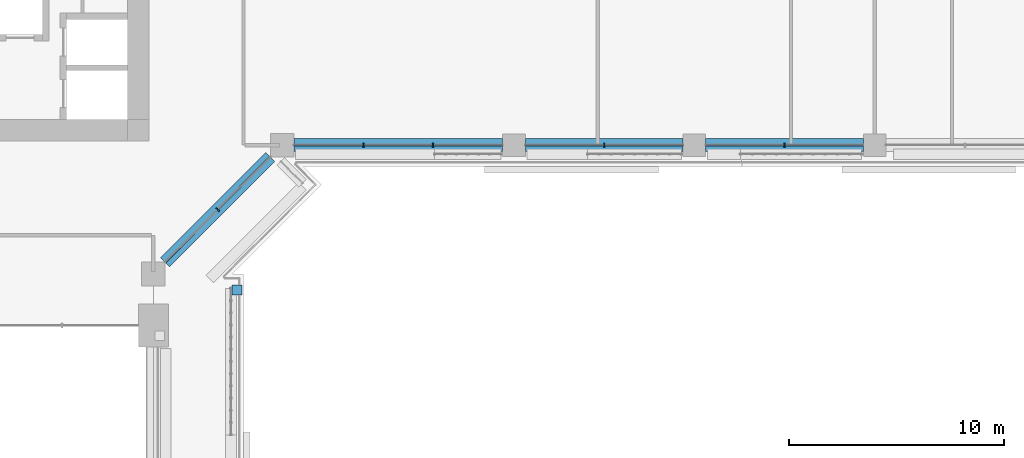
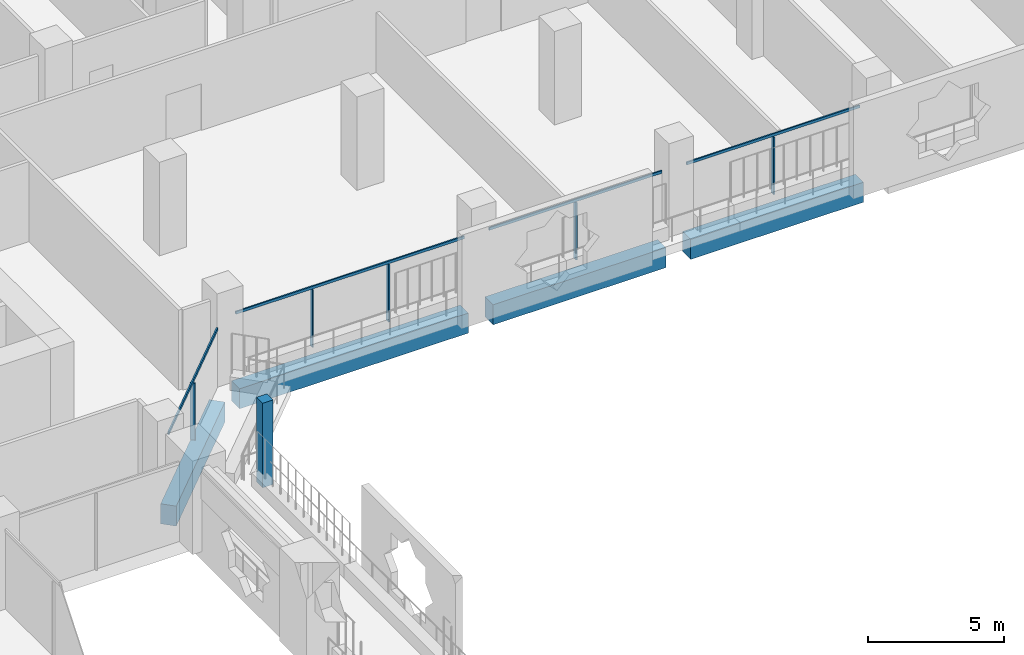
# One storey, part 6 of 27: 10 members, 4 beams, 3 elements without a shape of their own.
"""IFC4 building model written with IfcOpenShell, lengths in metres."""

from ifc_helpers import new_model, si_unit, direction, frame, origin, origin_2d, place, context, subcontext, project, spatial, rectangle, extrude, material, layer, layer_set, material_profile, profile_set, type_object, element, aggregate, save


model = new_model("IFC4")

# Units and contexts
model_context = context("Model", 3, precision=1e-05, world=origin(), true_north=direction((0.0, 1.0)))
body_context = subcontext(model_context, "Body", "Model", "MODEL_VIEW")
ifc_project = project(units=[si_unit("LENGTHUNIT", "METRE"), si_unit("AREAUNIT", "SQUARE_METRE"), si_unit("VOLUMEUNIT", "CUBIC_METRE"), si_unit("PLANEANGLEUNIT", "RADIAN"), si_unit("MASSUNIT", "GRAM", prefix="KILO")], contexts=[model_context])

# Site, building, storey
site_placement = place(None, origin())
site = spatial("IfcSite", under=ifc_project, at=site_placement, CompositionType="ELEMENT")
building_placement = place(site_placement, origin())
building = spatial("IfcBuilding", under=site, at=building_placement, Name="Kawkab Arch Medical Tower", CompositionType="ELEMENT")
storey_placement = place(building_placement, frame((0.0, 0.0, 103.0)))
storey = spatial("IfcBuildingStorey", under=building, at=storey_placement, Name="L23", CompositionType="ELEMENT", Elevation=103.0)

# Curtain wall, members
ifc_material_1 = material(Name="Bronze anodised aluminium curtain wall frame", Category="aluminium")
ifc_layer_1 = layer(ifc_material_1, 0.159912109375)
ifc_layer_set_1 = layer_set([ifc_layer_1], Name="Bronze anodised aluminium curtain wall frame")
curtain_wall_type_1 = type_object("IfcCurtainWallType", Name="CW1 ward curtain wall", PredefinedType="NOTDEFINED", material=ifc_layer_set_1)
placement = place(storey_placement, origin())
curtain_wall_1 = element("IfcCurtainWall", 1, at=placement, inside=storey, type_object=curtain_wall_type_1, Name="CW1 Ward curtain wall R07", PredefinedType="NOTDEFINED")
ifc_material_2 = material(Name="Bronze anodised aluminium curtain wall frame", Category="aluminium")
ifc_material_profile_1 = material_profile(ifc_material_2, rectangle(XDim=0.179931640625, YDim=0.06005859375, at=origin_2d()), Name="AL 60x180")
ifc_profile_set_1 = profile_set([ifc_material_profile_1], Name="Bronze anodised aluminium curtain wall frame")
member_type_1 = type_object("IfcMemberType", Name="CW1 mullion 60 x 180", PredefinedType="MULLION", material=ifc_profile_set_1)
member_1_placement = place(storey_placement, frame((34.99169921875, -25.199951171875, 0.0), z_axis=(0.0, 0.0, 1.0), x_axis=(0.0, 1.0, 0.0)))
member_1 = element("IfcMember", 2, at=member_1_placement, type_object=member_type_1, Name="CW1 mullion 1.1", PredefinedType="MULLION", context=body_context, shape_type="SweptSolid", body=[
    extrude(rectangle(XDim=0.179931640625, YDim=0.06005859375, at=origin_2d()), origin(), (0.0, 0.0, 1.0), 2.580078125),
])
member_2_placement = place(storey_placement, frame((38.2333984375, -25.199951171875, 0.0), z_axis=(0.0, 0.0, 1.0), x_axis=(0.0, 1.0, 0.0)))
member_2 = element("IfcMember", 3, at=member_2_placement, type_object=member_type_1, Name="CW1 mullion 1.2", PredefinedType="MULLION", context=body_context, shape_type="SweptSolid", body=[
    extrude(rectangle(XDim=0.179931640625, YDim=0.06005859375, at=origin_2d()), origin(), (0.0, 0.0, 1.0), 2.580078125),
])
member_3_placement = place(storey_placement, frame((46.199951171875, -25.199951171875, 0.0), z_axis=(0.0, 0.0, 1.0), x_axis=(0.0, 1.0, 0.0)))
member_3 = element("IfcMember", 4, at=member_3_placement, type_object=member_type_1, Name="CW1 mullion 2.1", PredefinedType="MULLION", context=body_context, shape_type="SweptSolid", body=[
    extrude(rectangle(XDim=0.179931640625, YDim=0.06005859375, at=origin_2d()), origin(), (0.0, 0.0, 1.0), 2.580078125),
])
member_4_placement = place(storey_placement, frame((54.60009765625, -25.199951171875, 0.0), z_axis=(0.0, 0.0, 1.0), x_axis=(0.0, 1.0, 0.0)))
member_4 = element("IfcMember", 5, at=member_4_placement, type_object=member_type_1, Name="CW1 mullion 3.1", PredefinedType="MULLION", context=body_context, shape_type="SweptSolid", body=[
    extrude(rectangle(XDim=0.179931640625, YDim=0.06005859375, at=origin_2d()), origin(), (0.0, 0.0, 1.0), 2.580078125),
])
ifc_material_3 = material(Name="Bronze anodised aluminium curtain wall frame", Category="aluminium")
ifc_material_profile_2 = material_profile(ifc_material_3, rectangle(XDim=0.06005859375, YDim=0.1201171875, at=origin_2d()), Name="AL 60x120")
ifc_profile_set_2 = profile_set([ifc_material_profile_2], Name="Bronze anodised aluminium curtain wall frame")
member_type_2 = type_object("IfcMemberType", Name="CW1 transom 120 x 60", PredefinedType="USERDEFINED", material=ifc_profile_set_2)
member_5_placement = place(storey_placement, frame((31.75, -25.199951171875, 2.639892578125), z_axis=(1.0, 0.0, 0.0), x_axis=(0.0, 1.0, 0.0)))
member_5 = element("IfcMember", 6, at=member_5_placement, type_object=member_type_2, Name="CW1 transom 1", ObjectType="TRANSOM", PredefinedType="USERDEFINED", context=body_context, shape_type="SweptSolid", body=[
    extrude(rectangle(XDim=0.06005859375, YDim=0.1201171875, at=origin_2d()), origin(), (0.0, 0.0, 1.0), 9.72509765625),
])
member_6_placement = place(storey_placement, frame((42.52490234375, -25.199951171875, 2.639892578125), z_axis=(1.0, 0.0, 0.0), x_axis=(0.0, 1.0, 0.0)))
member_6 = element("IfcMember", 7, at=member_6_placement, type_object=member_type_2, Name="CW1 transom 2", ObjectType="TRANSOM", PredefinedType="USERDEFINED", context=body_context, shape_type="SweptSolid", body=[
    extrude(rectangle(XDim=0.06005859375, YDim=0.1201171875, at=origin_2d()), origin(), (0.0, 0.0, 1.0), 7.35009765625),
])
member_7_placement = place(storey_placement, frame((50.925048828125, -25.199951171875, 2.639892578125), z_axis=(1.0, 0.0, 0.0), x_axis=(0.0, 1.0, 0.0)))
member_7 = element("IfcMember", 8, at=member_7_placement, type_object=member_type_2, Name="CW1 transom 3", ObjectType="TRANSOM", PredefinedType="USERDEFINED", context=body_context, shape_type="SweptSolid", body=[
    extrude(rectangle(XDim=0.06005859375, YDim=0.1201171875, at=origin_2d()), origin(), (0.0, 0.0, 1.0), 7.349853515625),
])
aggregate(curtain_wall_1, [member_5, member_1, member_2, member_6, member_3, member_7, member_4])

ifc_material_4 = material(Name="Bronze anodised aluminium curtain wall frame", Category="aluminium")
ifc_layer_2 = layer(ifc_material_4, 0.159912109375)
ifc_layer_set_2 = layer_set([ifc_layer_2], Name="Bronze anodised aluminium curtain wall frame")
curtain_wall_type_2 = type_object("IfcCurtainWallType", Name="CW2 chamfer curtain wall", PredefinedType="NOTDEFINED", material=ifc_layer_set_2)
curtain_wall_2 = element("IfcCurtainWall", 9, at=placement, inside=storey, type_object=curtain_wall_type_2, Name="CW2 Chamfer curtain wall R06", PredefinedType="NOTDEFINED")
ifc_material_5 = material(Name="Bronze anodised aluminium curtain wall frame", Category="aluminium")
ifc_material_profile_3 = material_profile(ifc_material_5, rectangle(XDim=0.199951171875, YDim=0.06005859375, at=origin_2d()), Name="AL 60x200")
ifc_profile_set_3 = profile_set([ifc_material_profile_3], Name="Bronze anodised aluminium curtain wall frame")
member_type_3 = type_object("IfcMemberType", Name="CW2 mullion 60 x 200", PredefinedType="MULLION", material=ifc_profile_set_3)
member_8_placement = place(storey_placement, frame((28.199951171875, -28.199951171875, 0.0), z_axis=(0.0, 0.0, 1.0), x_axis=(-0.707106781187, 0.707106781187, 0.0)))
member_8 = element("IfcMember", 10, at=member_8_placement, type_object=member_type_3, Name="CW2 mullion 1.1", PredefinedType="MULLION", context=body_context, shape_type="SweptSolid", body=[
    extrude(rectangle(XDim=0.199951171875, YDim=0.06005859375, at=origin_2d()), origin(), (0.0, 0.0, 1.0), 2.56005859375),
])
ifc_material_6 = material(Name="Bronze anodised aluminium curtain wall frame", Category="aluminium")
ifc_material_profile_4 = material_profile(ifc_material_6, rectangle(XDim=0.06005859375, YDim=0.139892578125, at=origin_2d()), Name="AL 60x140")
ifc_profile_set_4 = profile_set([ifc_material_profile_4], Name="Bronze anodised aluminium curtain wall frame")
member_type_4 = type_object("IfcMemberType", Name="CW2 transom 140 x 60", PredefinedType="USERDEFINED", material=ifc_profile_set_4)
member_9_placement = place(storey_placement, frame((25.75, -30.64990234375, 2.6298828125), z_axis=(0.707106781187, 0.707106781187, 0.0), x_axis=(-0.707106781187, 0.707106781187, 0.0)))
member_9 = element("IfcMember", 11, at=member_9_placement, type_object=member_type_4, Name="CW2 transom 1", ObjectType="TRANSOM", PredefinedType="USERDEFINED", context=body_context, shape_type="SweptSolid", body=[
    extrude(rectangle(XDim=0.06005859375, YDim=0.139892578125, at=origin_2d()), origin(), (0.0, 0.0, 1.0), 6.929443359375),
])
aggregate(curtain_wall_2, [member_9, member_8])

# Curtain wall, member
ifc_material_7 = material(Name="Bronze anodised aluminium climber frame, planted", Category="aluminium")
ifc_layer_3 = layer(ifc_material_7, 0.449951171875)
ifc_layer_set_3 = layer_set([ifc_layer_3], Name="Bronze anodised aluminium climber frame, planted")
curtain_wall_type_3 = type_object("IfcCurtainWallType", Name="Planted climber frame", PredefinedType="NOTDEFINED", material=ifc_layer_set_3)
curtain_wall_3 = element("IfcCurtainWall", 12, at=placement, inside=storey, type_object=curtain_wall_type_3, Name="Planted climber frame L23", PredefinedType="NOTDEFINED")
ifc_material_8 = material(Name="Bronze anodised aluminium climber frame, planted", Category="aluminium")
ifc_material_profile_5 = material_profile(ifc_material_8, rectangle(XDim=0.449951171875, YDim=0.449951171875, at=origin_2d()), Name="Post 450x450")
ifc_profile_set_5 = profile_set([ifc_material_profile_5], Name="Bronze anodised aluminium climber frame, planted")
member_type_5 = type_object("IfcMemberType", Name="Planted climber post 450 x 450", PredefinedType="MULLION", material=ifc_profile_set_5)
member_10_placement = place(storey_placement, frame((29.10009765625, -31.949951171875, 0.0), z_axis=(0.0, 0.0, 1.0), x_axis=(1.0, 0.0, 0.0)))
member_10 = element("IfcMember", 13, at=member_10_placement, type_object=member_type_5, Name="Planted climber post L23.LOG-01-02.5", PredefinedType="MULLION", context=body_context, shape_type="SweptSolid", body=[
    extrude(rectangle(XDim=0.449951171875, YDim=0.449951171875, at=origin_2d()), origin(), (0.0, 0.0, 1.0), 3.800048828125),
])
aggregate(curtain_wall_3, [member_10])

# Beams
ifc_material_9 = material(Name="Concrete C55/67", Category="concrete")
ifc_material_profile_6 = material_profile(ifc_material_9, rectangle(XDim=0.60009765625, YDim=0.89990234375, at=origin_2d()), Name="RC 600x900")
ifc_profile_set_6 = profile_set([ifc_material_profile_6], Name="Concrete C55/67")
beam_type = type_object("IfcBeamType", Name="RC 600x900 beam C55/67", PredefinedType="BEAM", material=ifc_profile_set_6)
beam_1_placement = place(storey_placement, frame((58.27490234375, -25.199951171875, -1.050048828125), z_axis=(-1.0, 0.0, 0.0), x_axis=(0.0, -1.0, 0.0)))
element("IfcBeam", 14, at=beam_1_placement, inside=storey, type_object=beam_type, Name="Overhang edge beam L23-04", PredefinedType="BEAM", context=body_context, shape_type="SweptSolid", body=[
    extrude(rectangle(XDim=0.60009765625, YDim=0.89990234375, at=origin_2d()), origin(), (0.0, 0.0, 1.0), 7.349853515625),
])
beam_2_placement = place(storey_placement, frame((49.875, -25.199951171875, -1.050048828125), z_axis=(-1.0, 0.0, 0.0), x_axis=(0.0, -1.0, 0.0)))
element("IfcBeam", 15, at=beam_2_placement, inside=storey, type_object=beam_type, Name="Overhang edge beam L23-05", PredefinedType="BEAM", context=body_context, shape_type="SweptSolid", body=[
    extrude(rectangle(XDim=0.60009765625, YDim=0.89990234375, at=origin_2d()), origin(), (0.0, 0.0, 1.0), 7.35009765625),
])
beam_3_placement = place(storey_placement, frame((41.47509765625, -25.199951171875, -1.050048828125), z_axis=(-1.0, 0.0, 0.0), x_axis=(0.0, -1.0, 0.0)))
element("IfcBeam", 16, at=beam_3_placement, inside=storey, type_object=beam_type, Name="Overhang edge beam L23-06", PredefinedType="BEAM", context=body_context, shape_type="SweptSolid", body=[
    extrude(rectangle(XDim=0.60009765625, YDim=0.89990234375, at=origin_2d()), origin(), (0.0, 0.0, 1.0), 9.72509765625),
])
beam_4_placement = place(storey_placement, frame((30.64990234375, -25.75, -1.050048828125), z_axis=(-0.707106781187, -0.707106781187, 0.0), x_axis=(0.707106781187, -0.707106781187, 0.0)))
element("IfcBeam", 17, at=beam_4_placement, inside=storey, type_object=beam_type, Name="Overhang edge beam L23-07", PredefinedType="BEAM", context=body_context, shape_type="SweptSolid", body=[
    extrude(rectangle(XDim=0.60009765625, YDim=0.89990234375, at=origin_2d()), origin(), (0.0, 0.0, 1.0), 6.929443359375),
])

save(model, "model.ifc")
